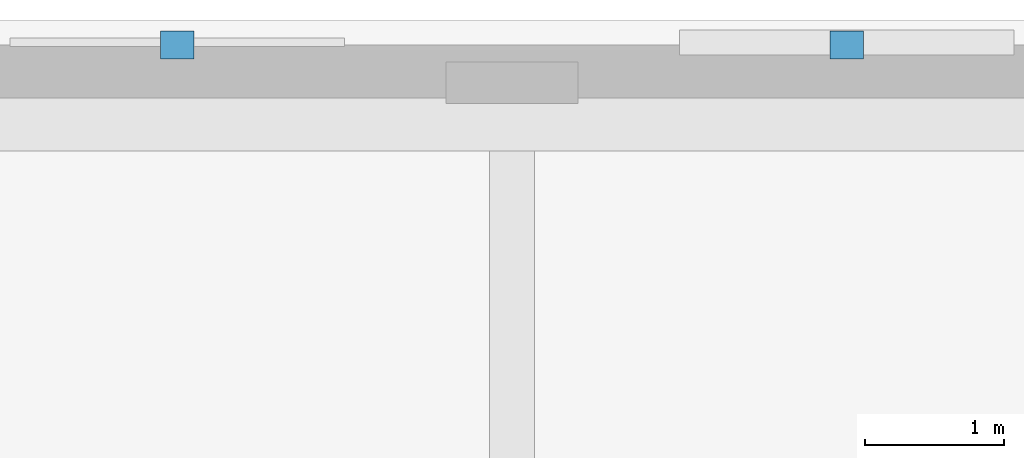
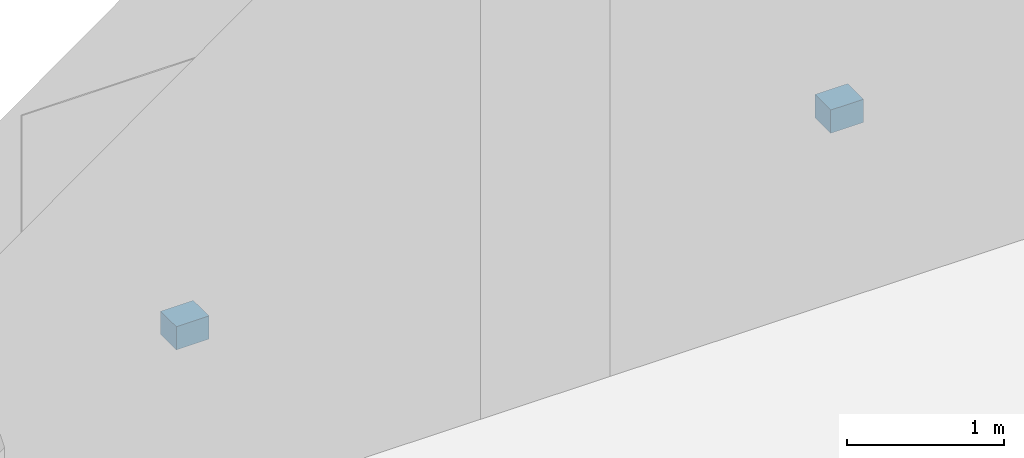
# One storey, part 17 of 21: 2 discrete accessories.
"""IFC4 building model written with IfcOpenShell, lengths in metres."""

from ifc_helpers import new_model, si_unit, direction, frame, origin, origin_2d, place, context, subcontext, project, spatial, rectangle, extrude, material, type_object, element, save


model = new_model("IFC4")

# Units and contexts
model_context = context("Model", 3, precision=1e-05, world=origin(), true_north=direction((0.0, 1.0)))
body_context = subcontext(model_context, "Body", "Model", "MODEL_VIEW")
ifc_project = project(units=[si_unit("LENGTHUNIT", "METRE"), si_unit("AREAUNIT", "SQUARE_METRE"), si_unit("VOLUMEUNIT", "CUBIC_METRE"), si_unit("PLANEANGLEUNIT", "RADIAN"), si_unit("MASSUNIT", "GRAM", prefix="KILO")], contexts=[model_context])

# Site, building, storey
site_placement = place(None, origin())
site = spatial("IfcSite", under=ifc_project, at=site_placement, CompositionType="ELEMENT")
building_placement = place(site_placement, origin())
building = spatial("IfcBuilding", under=site, at=building_placement, Name="Norrvale University Quadrangle", CompositionType="ELEMENT")
storey_placement = place(building_placement, frame((0.0, 0.0, 194.0)))
storey = spatial("IfcBuildingStorey", under=building, at=storey_placement, Name="L49", CompositionType="ELEMENT", Elevation=194.0)

# Discrete accessories
ifc_material = material(Name="Stainless Steel 316L", Category="steel")
discrete_accessory_type = type_object("IfcDiscreteAccessoryType", Name="Accessory Stainless Bracket", PredefinedType="BRACKET", material=ifc_material)
for number, where, z_axis, x_axis, name in (
    (1, (26.39990234375, 67.02001953125, 1.06005859375), (0.0, 0.0, 1.0), (-1.0, 0.0, 0.0), "Stainless Facade Shelf Bracket 018"),
    (2, (21.60009765625, 67.02001953125, 1.06005859375), (0.0, 0.0, 1.0), (-1.0, 0.0, 0.0), "Stainless Facade Shelf Bracket 019"),
):
    element("IfcDiscreteAccessory", number, at=place(storey_placement, frame(where, z_axis=z_axis, x_axis=x_axis)), inside=storey, type_object=discrete_accessory_type, Name=name, PredefinedType="BRACKET", context=body_context, shape_type="SweptSolid", body=[
        extrude(rectangle(XDim=0.239990234375, YDim=0.199951171875, at=origin_2d()), origin(), (0.0, 0.0, 1.0), 0.179931640625),
    ])

save(model, "model.ifc")
